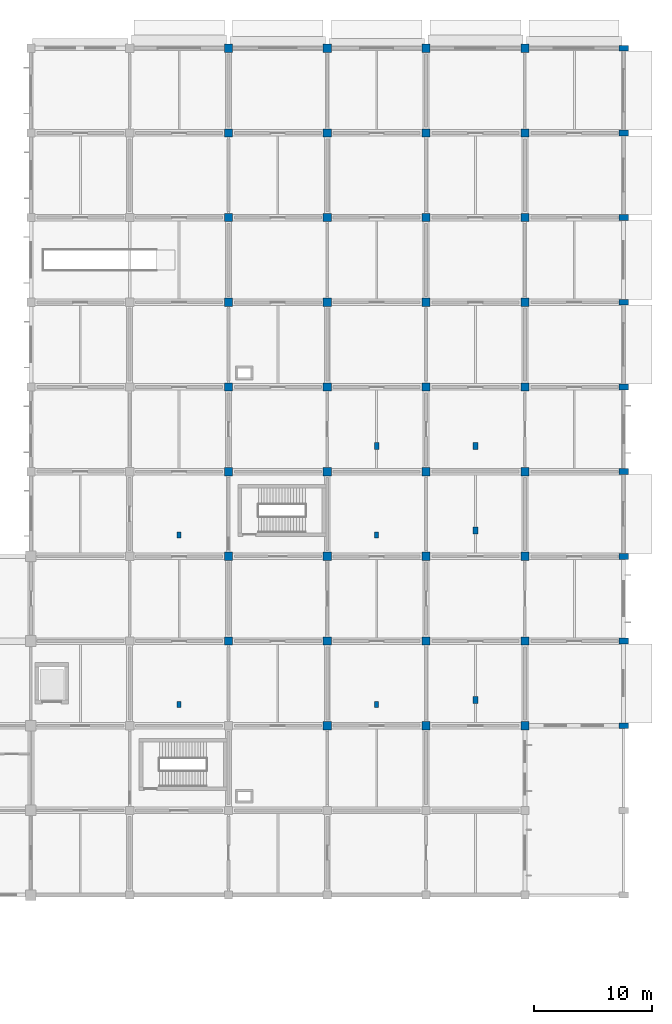
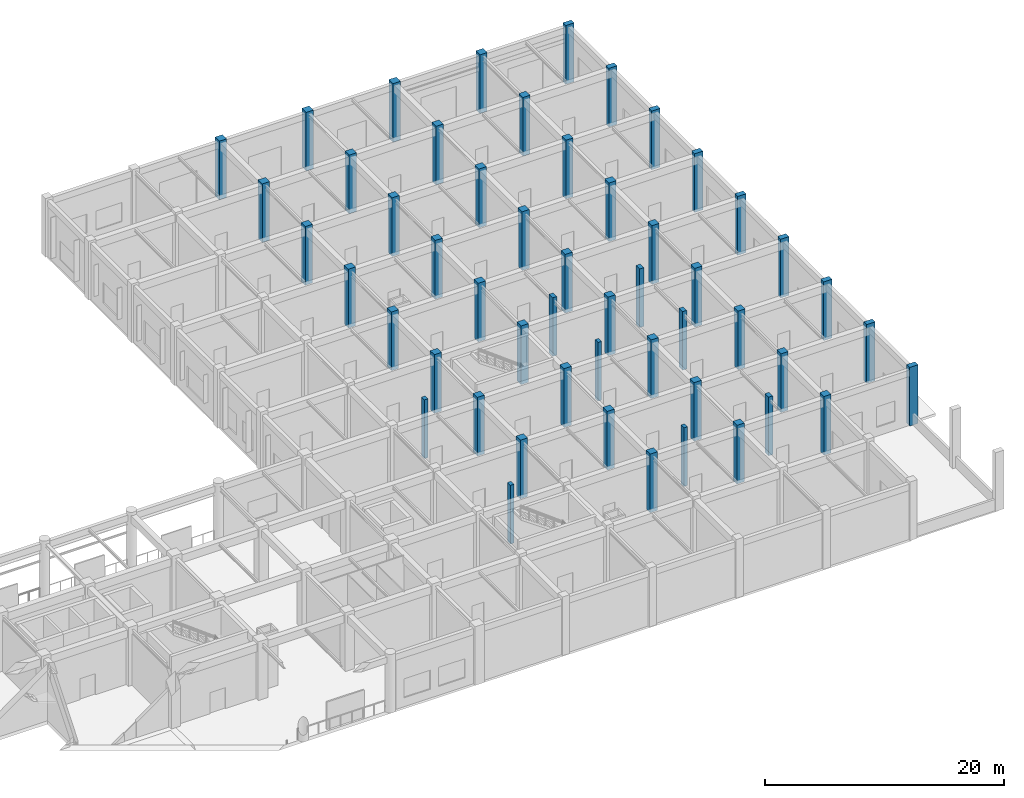
# One storey, part 2 of 39: 52 columns.
"""IFC4 building model written with IfcOpenShell, lengths in metres."""

from ifc_helpers import new_model, si_unit, derived_unit, direction, frame, origin, origin_2d, place, context, subcontext, project, spatial, rectangle, extrude, material, material_profile, profile_set, type_object, element, save


model = new_model("IFC4")

# Units and contexts
model_context = context("Model", 3, precision=1e-05, world=origin(), true_north=direction((0.0, 1.0)))
body_context = subcontext(model_context, "Body", "Model", "MODEL_VIEW")
ifc_project = project(units=[si_unit("LENGTHUNIT", "METRE"), si_unit("AREAUNIT", "SQUARE_METRE"), si_unit("VOLUMEUNIT", "CUBIC_METRE"), si_unit("PLANEANGLEUNIT", "RADIAN"), si_unit("MASSUNIT", "GRAM", prefix="KILO"), derived_unit("THERMALTRANSMITTANCEUNIT", [(si_unit("MASSUNIT", "GRAM", prefix="KILO"), 1), (si_unit("TIMEUNIT", "SECOND"), -3), (si_unit("THERMODYNAMICTEMPERATUREUNIT", "KELVIN"), -1)])], contexts=[model_context])

# Site, building, storey
site_placement = place(None, origin())
site = spatial("IfcSite", under=ifc_project, at=site_placement, CompositionType="ELEMENT")
building_placement = place(site_placement, origin())
building = spatial("IfcBuilding", under=site, at=building_placement, Name="Veldstrom Oceanarium and Marine Research Institute", CompositionType="ELEMENT")
storey_placement = place(building_placement, origin())
storey = spatial("IfcBuildingStorey", under=building, at=storey_placement, Name="L00", CompositionType="ELEMENT", Elevation=0.0)

# Columns
ifc_material_1 = material(Name="Concrete C50/60", Category="concrete")
ifc_material_profile_1 = material_profile(ifc_material_1, rectangle(XDim=0.699951171875, YDim=0.699951171875, at=origin_2d()), Name="RC-COL-700x700")
ifc_profile_set_1 = profile_set([ifc_material_profile_1], Name="Concrete C50/60")
column_type_1 = type_object("IfcColumnType", Name="STR-COL-C06", PredefinedType="COLUMN", material=ifc_profile_set_1)
for number, where, z_axis, x_axis, name in (
    (1, (134.39990234375, 64.800048828125, 0.0), (0.0, 0.0, 1.0), (1.0, 0.0, 0.0), "Column C06 17/K L00"),
    (2, (134.39990234375, 72.0, 0.0), (0.0, 0.0, 1.0), (1.0, 0.0, 0.0), "Column C06 17/L L00"),
    (3, (134.39990234375, 79.199951171875, 0.0), (0.0, 0.0, 1.0), (1.0, 0.0, 0.0), "Column C06 17/M L00"),
    (4, (134.39990234375, 86.39990234375, 0.0), (0.0, 0.0, 1.0), (1.0, 0.0, 0.0), "Column C06 17/N L00"),
    (5, (134.39990234375, 93.60009765625, 0.0), (0.0, 0.0, 1.0), (1.0, 0.0, 0.0), "Column C06 17/P L00"),
    (6, (134.39990234375, 100.800048828125, 0.0), (0.0, 0.0, 1.0), (1.0, 0.0, 0.0), "Column C06 17/Q L00"),
    (7, (134.39990234375, 108.0, 0.0), (0.0, 0.0, 1.0), (1.0, 0.0, 0.0), "Column C06 17/R L00"),
    (8, (134.39990234375, 115.199951171875, 0.0), (0.0, 0.0, 1.0), (1.0, 0.0, 0.0), "Column C06 17/S L00"),
    (9, (142.800048828125, 57.60009765625, 0.0), (0.0, 0.0, 1.0), (1.0, 0.0, 0.0), "Column C06 18/J L00"),
    (10, (142.800048828125, 64.800048828125, 0.0), (0.0, 0.0, 1.0), (1.0, 0.0, 0.0), "Column C06 18/K L00"),
    (11, (142.800048828125, 72.0, 0.0), (0.0, 0.0, 1.0), (1.0, 0.0, 0.0), "Column C06 18/L L00"),
    (12, (142.800048828125, 79.199951171875, 0.0), (0.0, 0.0, 1.0), (1.0, 0.0, 0.0), "Column C06 18/M L00"),
    (13, (142.800048828125, 86.39990234375, 0.0), (0.0, 0.0, 1.0), (1.0, 0.0, 0.0), "Column C06 18/N L00"),
    (14, (142.800048828125, 93.60009765625, 0.0), (0.0, 0.0, 1.0), (1.0, 0.0, 0.0), "Column C06 18/P L00"),
    (15, (142.800048828125, 100.800048828125, 0.0), (0.0, 0.0, 1.0), (1.0, 0.0, 0.0), "Column C06 18/Q L00"),
    (16, (142.800048828125, 108.0, 0.0), (0.0, 0.0, 1.0), (1.0, 0.0, 0.0), "Column C06 18/R L00"),
    (17, (142.800048828125, 115.199951171875, 0.0), (0.0, 0.0, 1.0), (1.0, 0.0, 0.0), "Column C06 18/S L00"),
    (18, (151.199951171875, 57.60009765625, 0.0), (0.0, 0.0, 1.0), (1.0, 0.0, 0.0), "Column C06 19/J L00"),
    (19, (151.199951171875, 64.800048828125, 0.0), (0.0, 0.0, 1.0), (1.0, 0.0, 0.0), "Column C06 19/K L00"),
    (20, (151.199951171875, 72.0, 0.0), (0.0, 0.0, 1.0), (1.0, 0.0, 0.0), "Column C06 19/L L00"),
    (21, (151.199951171875, 79.199951171875, 0.0), (0.0, 0.0, 1.0), (1.0, 0.0, 0.0), "Column C06 19/M L00"),
    (22, (151.199951171875, 86.39990234375, 0.0), (0.0, 0.0, 1.0), (1.0, 0.0, 0.0), "Column C06 19/N L00"),
    (23, (151.199951171875, 93.60009765625, 0.0), (0.0, 0.0, 1.0), (1.0, 0.0, 0.0), "Column C06 19/P L00"),
    (24, (151.199951171875, 100.800048828125, 0.0), (0.0, 0.0, 1.0), (1.0, 0.0, 0.0), "Column C06 19/Q L00"),
    (25, (151.199951171875, 108.0, 0.0), (0.0, 0.0, 1.0), (1.0, 0.0, 0.0), "Column C06 19/R L00"),
    (26, (151.199951171875, 115.199951171875, 0.0), (0.0, 0.0, 1.0), (1.0, 0.0, 0.0), "Column C06 19/S L00"),
    (27, (159.60009765625, 57.60009765625, 0.0), (0.0, 0.0, 1.0), (1.0, 0.0, 0.0), "Column C06 20/J L00"),
    (28, (159.60009765625, 64.800048828125, 0.0), (0.0, 0.0, 1.0), (1.0, 0.0, 0.0), "Column C06 20/K L00"),
    (29, (159.60009765625, 72.0, 0.0), (0.0, 0.0, 1.0), (1.0, 0.0, 0.0), "Column C06 20/L L00"),
    (30, (159.60009765625, 79.199951171875, 0.0), (0.0, 0.0, 1.0), (1.0, 0.0, 0.0), "Column C06 20/M L00"),
    (31, (159.60009765625, 86.39990234375, 0.0), (0.0, 0.0, 1.0), (1.0, 0.0, 0.0), "Column C06 20/N L00"),
    (32, (159.60009765625, 93.60009765625, 0.0), (0.0, 0.0, 1.0), (1.0, 0.0, 0.0), "Column C06 20/P L00"),
    (33, (159.60009765625, 100.800048828125, 0.0), (0.0, 0.0, 1.0), (1.0, 0.0, 0.0), "Column C06 20/Q L00"),
    (34, (159.60009765625, 108.0, 0.0), (0.0, 0.0, 1.0), (1.0, 0.0, 0.0), "Column C06 20/R L00"),
    (35, (159.60009765625, 115.199951171875, 0.0), (0.0, 0.0, 1.0), (1.0, 0.0, 0.0), "Column C06 20/S L00"),
):
    element("IfcColumn", number, at=place(storey_placement, frame(where, z_axis=z_axis, x_axis=x_axis)), inside=storey, type_object=column_type_1, Name=name, PredefinedType="COLUMN", context=body_context, shape_type="SweptSolid", body=[
        extrude(rectangle(XDim=0.699951171875, YDim=0.699951171875, at=origin_2d()), origin(), (0.0, 0.0, 1.0), 6.0),
    ])
ifc_material_2 = material(Name="Concrete C50/60", Category="concrete")
ifc_material_profile_2 = material_profile(ifc_material_2, rectangle(XDim=0.5, YDim=0.800048828125, at=origin_2d()), Name="RC-COL-800x500")
ifc_profile_set_2 = profile_set([ifc_material_profile_2], Name="Concrete C50/60")
column_type_2 = type_object("IfcColumnType", Name="STR-COL-C12", PredefinedType="COLUMN", material=ifc_profile_set_2)
for number, where, z_axis, x_axis, name in (
    (36, (168.0, 57.60009765625, 0.0), (0.0, 0.0, 1.0), (0.0, 1.0, 0.0), "Column C12 21/J L00"),
    (37, (168.0, 64.800048828125, 0.0), (0.0, 0.0, 1.0), (0.0, 1.0, 0.0), "Column C12 21/K L00"),
    (38, (168.0, 72.0, 0.0), (0.0, 0.0, 1.0), (0.0, 1.0, 0.0), "Column C12 21/L L00"),
    (39, (168.0, 79.199951171875, 0.0), (0.0, 0.0, 1.0), (0.0, 1.0, 0.0), "Column C12 21/M L00"),
    (40, (168.0, 86.39990234375, 0.0), (0.0, 0.0, 1.0), (0.0, 1.0, 0.0), "Column C12 21/N L00"),
    (41, (168.0, 93.60009765625, 0.0), (0.0, 0.0, 1.0), (0.0, 1.0, 0.0), "Column C12 21/P L00"),
    (42, (168.0, 100.800048828125, 0.0), (0.0, 0.0, 1.0), (0.0, 1.0, 0.0), "Column C12 21/Q L00"),
    (43, (168.0, 108.0, 0.0), (0.0, 0.0, 1.0), (0.0, 1.0, 0.0), "Column C12 21/R L00"),
    (44, (168.0, 115.199951171875, 0.0), (0.0, 0.0, 1.0), (0.0, 1.0, 0.0), "Column C12 21/S L00"),
):
    element("IfcColumn", number, at=place(storey_placement, frame(where, z_axis=z_axis, x_axis=x_axis)), inside=storey, type_object=column_type_2, Name=name, PredefinedType="COLUMN", context=body_context, shape_type="SweptSolid", body=[
        extrude(rectangle(XDim=0.5, YDim=0.800048828125, at=origin_2d()), origin(), (0.0, 0.0, 1.0), 6.0),
    ])
ifc_material_3 = material(Name="Concrete C50/60", Category="concrete")
ifc_material_profile_3 = material_profile(ifc_material_3, rectangle(XDim=0.39990234375, YDim=0.60009765625, at=origin_2d()), Name="RC-PIL-600x400")
ifc_profile_set_3 = profile_set([ifc_material_profile_3], Name="Concrete C50/60")
column_type_3 = type_object("IfcColumnType", Name="STR-PIL-PL1", PredefinedType="PILASTER", material=ifc_profile_set_3)
for number, where, z_axis, x_axis, name in (
    (45, (155.39990234375, 81.39990234375, 0.0), (0.0, 0.0, 1.0), (1.0, 0.0, 0.0), "Colonnade Pilaster 01 L00"),
    (46, (147.0, 81.39990234375, 0.0), (0.0, 0.0, 1.0), (1.0, 0.0, 0.0), "Colonnade Pilaster 02 L00"),
    (47, (155.39990234375, 59.800048828125, 0.0), (0.0, 0.0, 1.0), (1.0, 0.0, 0.0), "Colonnade Pilaster 03 L00"),
    (48, (155.39990234375, 74.199951171875, 0.0), (0.0, 0.0, 1.0), (1.0, 0.0, 0.0), "Colonnade Pilaster 04 L00"),
):
    element("IfcColumn", number, at=place(storey_placement, frame(where, z_axis=z_axis, x_axis=x_axis)), inside=storey, type_object=column_type_3, Name=name, PredefinedType="PILASTER", context=body_context, shape_type="SweptSolid", body=[
        extrude(rectangle(XDim=0.39990234375, YDim=0.60009765625, at=origin_2d()), origin(), (0.0, 0.0, 1.0), 6.0),
    ])
ifc_material_4 = material(Name="Concrete C50/60", Category="concrete")
ifc_material_profile_4 = material_profile(ifc_material_4, rectangle(XDim=0.35009765625, YDim=0.5, at=origin_2d()), Name="RC-PIL-500x350")
ifc_profile_set_4 = profile_set([ifc_material_profile_4], Name="Concrete C50/60")
column_type_4 = type_object("IfcColumnType", Name="STR-PIL-PL2", PredefinedType="PILASTER", material=ifc_profile_set_4)
for number, where, z_axis, x_axis, name in (
    (49, (130.199951171875, 59.39990234375, 0.0), (0.0, 0.0, 1.0), (1.0, 0.0, 0.0), "Colonnade Pilaster 05 L00"),
    (50, (147.0, 59.39990234375, 0.0), (0.0, 0.0, 1.0), (1.0, 0.0, 0.0), "Colonnade Pilaster 06 L00"),
    (51, (130.199951171875, 73.800048828125, 0.0), (0.0, 0.0, 1.0), (1.0, 0.0, 0.0), "Colonnade Pilaster 07 L00"),
    (52, (147.0, 73.800048828125, 0.0), (0.0, 0.0, 1.0), (1.0, 0.0, 0.0), "Colonnade Pilaster 08 L00"),
):
    element("IfcColumn", number, at=place(storey_placement, frame(where, z_axis=z_axis, x_axis=x_axis)), inside=storey, type_object=column_type_4, Name=name, PredefinedType="PILASTER", context=body_context, shape_type="SweptSolid", body=[
        extrude(rectangle(XDim=0.35009765625, YDim=0.5, at=origin_2d()), origin(), (0.0, 0.0, 1.0), 6.0),
    ])

save(model, "model.ifc")
